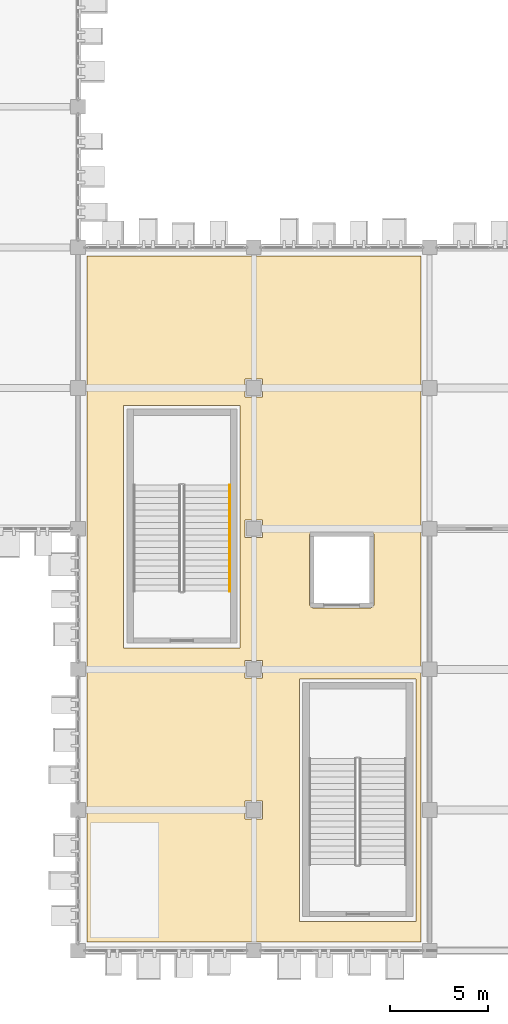
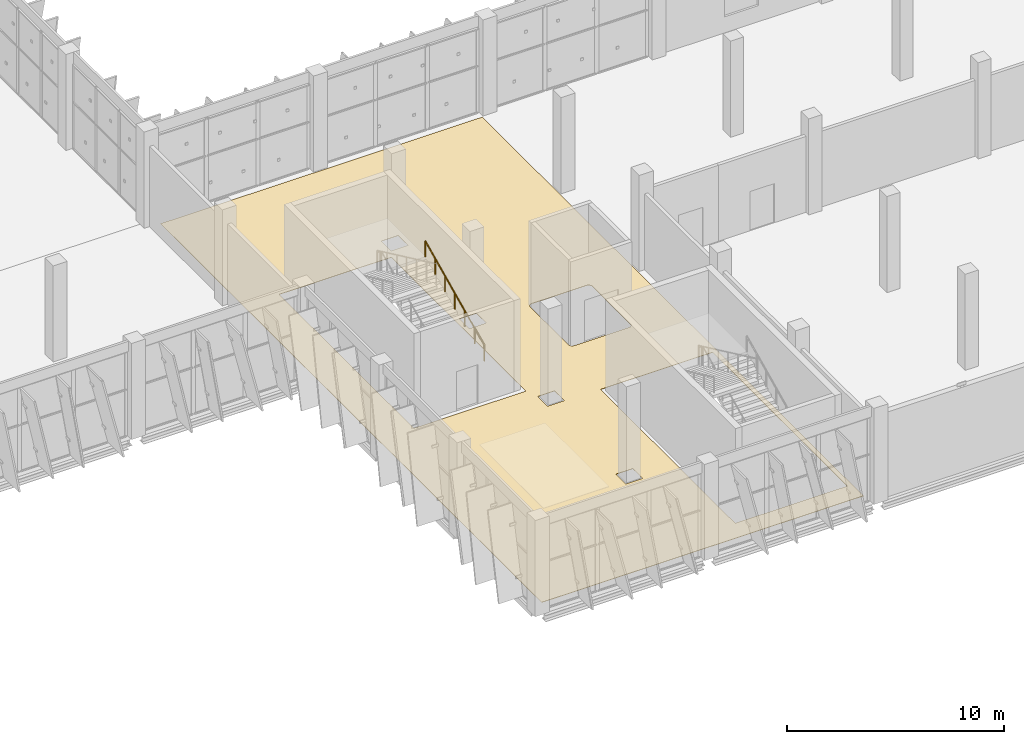
# One storey, part 166 of 189: 1 covering, 1 railing.
"""IFC4 building model written with IfcOpenShell, lengths in metres."""

import ifcopenshell
import ifcopenshell.guid

model = None  # the IFC model being written
_history = None  # IfcOwnerHistory: only IFC2X3 demands one
_inside = {}  # id of a spatial element -> (the spatial element, [elements in it])
_under = {}  # id of a project, library or spatial element -> (it, [spatial elements below it])
_declared = {}  # id of a project -> (the project, [libraries it declares])
_typed = {}  # id of a type object -> (the type object, [elements of that type])
_made_of = {}  # id of a material, layer set ... -> (it, [elements and type objects made of it])


def new_model(schema):
    """Start an empty IFC model of exactly this schema.

    Asked for "IFC4X3", IfcOpenShell would pick the latest addendum, in which some entities
    have other attributes; the version numbers below select the first issue.
    IFC2X3 requires an IfcOwnerHistory on every rooted entity: one is made here for all.
    """
    global model, _history
    if schema == "IFC4X3":
        model = ifcopenshell.file(schema_version=(4, 3, 0, 0))
    else:
        model = ifcopenshell.file(schema=schema)
    _inside.clear()
    _under.clear()
    _declared.clear()
    _typed.clear()
    _made_of.clear()
    _history = None
    if model.schema == "IFC2X3":
        org = make("IfcOrganization", Name="unknown")
        user = make(
            "IfcPersonAndOrganization",
            ThePerson=make("IfcPerson", FamilyName="unknown"),
            TheOrganization=org,
        )
        app = make(
            "IfcApplication",
            ApplicationDeveloper=org,
            Version="unknown",
            ApplicationFullName="unknown",
            ApplicationIdentifier="unknown",
        )
        _history = make(
            "IfcOwnerHistory",
            OwningUser=user,
            OwningApplication=app,
            ChangeAction="ADDED",
            CreationDate=0,
        )
    return model


def make(cls, **values):
    """One entity of the class cls with the attributes given. An attribute that is None is left unset."""
    return model.create_entity(
        cls, **{name: value for name, value in values.items() if value is not None}
    )


def rooted(cls, **values):
    """An entity with a GlobalId (a new one), such as an element, a storey or a relation."""
    return make(cls, GlobalId=ifcopenshell.guid.new(), OwnerHistory=_history, **values)


def si_unit(unit_type, name, prefix=None):
    """IfcSIUnit, for example si_unit("LENGTHUNIT", "METRE", prefix="MILLI")."""
    return make("IfcSIUnit", UnitType=unit_type, Prefix=prefix, Name=name)


def assignment(units):
    """IfcUnitAssignment: the units of a project."""
    return None if units is None else make("IfcUnitAssignment", Units=units)


def point(xyz):
    """IfcCartesianPoint."""
    return None if xyz is None else make("IfcCartesianPoint", Coordinates=xyz)


def direction(xyz):
    """IfcDirection."""
    return None if xyz is None else make("IfcDirection", DirectionRatios=xyz)


def frame(location, z_axis=None, x_axis=None):
    """IfcAxis2Placement3D, a coordinate frame: its origin and axes. An axis left out is left unset."""
    return make(
        "IfcAxis2Placement3D",
        Location=point(location),
        Axis=direction(z_axis),
        RefDirection=direction(x_axis),
    )


def frame_2d(location, x_axis=None):
    """IfcAxis2Placement2D, a coordinate frame in the plane: its origin and x axis."""
    return make(
        "IfcAxis2Placement2D", Location=point(location), RefDirection=direction(x_axis)
    )


def origin():
    """The frame at (0, 0, 0) with its axes left unset."""
    return frame((0.0, 0.0, 0.0))


def origin_2d():
    """The frame at (0, 0) in the plane with its x axis left unset."""
    return frame_2d((0.0, 0.0))


def place(relative_to, where):
    """IfcLocalPlacement: puts the frame where relative to a parent placement (None: the world)."""
    return make(
        "IfcLocalPlacement", PlacementRelTo=relative_to, RelativePlacement=where
    )


def context(
    kind, dimensions, precision=None, world=None, true_north=None, identifier=None
):
    """IfcGeometricRepresentationContext, for example the 3D "Model" context."""
    return make(
        "IfcGeometricRepresentationContext",
        ContextIdentifier=identifier,
        ContextType=kind,
        CoordinateSpaceDimension=dimensions,
        Precision=precision,
        WorldCoordinateSystem=world,
        TrueNorth=true_north,
    )


def subcontext(parent, identifier, kind, view, scale=None):
    """IfcGeometricRepresentationSubContext, for example "Body" below "Model"."""
    return make(
        "IfcGeometricRepresentationSubContext",
        ContextIdentifier=identifier,
        ContextType=kind,
        ParentContext=parent,
        TargetScale=scale,
        TargetView=view,
    )


def project(units=None, contexts=None):
    """IfcProject with its units and contexts."""
    return rooted(
        "IfcProject",
        Name="project",
        RepresentationContexts=contexts,
        UnitsInContext=assignment(units),
    )


def spatial(cls, under=None, at=None, **own):
    """A site, building, storey or space (cls), placed at a placement, below another one or the project."""
    s = rooted(cls, ObjectPlacement=at, **own)
    if under is not None:
        _under.setdefault(under.id(), (under, []))[1].append(s)
    return s


def polyline(points):
    """IfcPolyline through the points."""
    return make("IfcPolyline", Points=[point(p) for p in points])


def profile(cls, at=None, kind="AREA", **sizes):
    """A parametric profile (cls). Its sizes go by their IFC names, for example OverallWidth=200.0."""
    return make(cls, ProfileType=kind, Position=at, **sizes)


def circle(**sizes):
    """IfcCircleProfileDef."""
    return profile("IfcCircleProfileDef", **sizes)


def outline(outer, holes=None, kind="AREA"):
    """IfcArbitraryClosedProfileDef: a profile drawn as a closed curve; with holes, ...WithVoids."""
    if holes is None:
        return make("IfcArbitraryClosedProfileDef", ProfileType=kind, OuterCurve=outer)
    return make(
        "IfcArbitraryProfileDefWithVoids",
        ProfileType=kind,
        OuterCurve=outer,
        InnerCurves=holes,
    )


def extrude(swept, where, along, depth):
    """IfcExtrudedAreaSolid: the profile swept, set in the frame where, extruded along a direction by depth."""
    return make(
        "IfcExtrudedAreaSolid",
        SweptArea=swept,
        Position=where,
        ExtrudedDirection=direction(along),
        Depth=depth,
    )


def shape(context_of_items, identifier, shape_type, items):
    """IfcShapeRepresentation: the items that make up one representation, for example the "Body"."""
    return make(
        "IfcShapeRepresentation",
        ContextOfItems=context_of_items,
        RepresentationIdentifier=identifier,
        RepresentationType=shape_type,
        Items=items,
    )


def material(Name=None, Category=None):
    """IfcMaterial."""
    return make("IfcMaterial", Name=Name, Category=Category)


def layer(
    of_material, thickness, ventilated=None, Name=None, Category=None, Priority=None
):
    """IfcMaterialLayer: one layer of a wall or slab, of a material (None: an air gap)."""
    return make(
        "IfcMaterialLayer",
        Material=of_material,
        LayerThickness=thickness,
        IsVentilated=ventilated,
        Name=Name,
        Category=Category,
        Priority=Priority,
    )


def layer_set(layers, Name=None):
    """IfcMaterialLayerSet."""
    return make("IfcMaterialLayerSet", MaterialLayers=layers, LayerSetName=Name)


def made_of(thing, what):
    """Note that an element or type object is made of a material, layer set ...; save() writes the relation."""
    if what is not None:
        _made_of.setdefault(what.id(), (what, []))[1].append(thing)
    return thing


def type_object(cls, material=None, **own):
    """A type object (cls), such as IfcWallType, which elements share."""
    return made_of(rooted(cls, **own), material)


def element(
    cls,
    number,
    at=None,
    inside=None,
    cuts=None,
    type_object=None,
    material=None,
    context=None,
    identifier="Body",
    shape_type=None,
    held_by="IfcProductDefinitionShape",
    body=None,
    shapes=None,
    **own,
):
    """One element of the class cls, such as IfcWall. Its Tag is "e" and its number.

    at: its placement. inside: the storey or other place that contains it. cuts: it is an
    opening in that element (IfcRelVoidsElement). A single representation is given by context,
    identifier, shape_type and body (its items); several are given by shapes. held_by: the class
    of the entity that holds the representations. save() writes the other relations.
    """
    e = rooted(cls, Tag="e%d" % number, ObjectPlacement=at, **own)
    if body is not None:
        shapes = [shape(context, identifier, shape_type, body)]
    if shapes is not None:
        e.Representation = make(held_by, Representations=shapes)
    if inside is not None:
        _inside.setdefault(inside.id(), (inside, []))[1].append(e)
    if cuts is not None:
        rooted(
            "IfcRelVoidsElement", RelatingBuildingElement=cuts, RelatedOpeningElement=e
        )
    if type_object is not None:
        _typed.setdefault(type_object.id(), (type_object, []))[1].append(e)
    return made_of(e, material)


def aggregate(whole, parts):
    """IfcRelAggregates: a whole, such as a stair, and the parts it consists of."""
    return rooted("IfcRelAggregates", RelatingObject=whole, RelatedObjects=parts)


def save(model, path):
    """Write the relations noted so far, then the file.

    IfcRelAggregates (storeys below a building ...), IfcRelContainedInSpatialStructure (elements
    in a storey), IfcRelDefinesByType, IfcRelAssociatesMaterial and IfcRelDeclares: one each for
    every whole, place, type object, material and project.
    """
    for whole, parts in _under.values():
        aggregate(whole, parts)
    for where, things in _inside.values():
        rooted(
            "IfcRelContainedInSpatialStructure",
            RelatedElements=things,
            RelatingStructure=where,
        )
    for kind, things in _typed.values():
        rooted("IfcRelDefinesByType", RelatedObjects=things, RelatingType=kind)
    for what, things in _made_of.values():
        rooted("IfcRelAssociatesMaterial", RelatedObjects=things, RelatingMaterial=what)
    for by, libraries in _declared.values():
        rooted("IfcRelDeclares", RelatingContext=by, RelatedDefinitions=libraries)
    model.write(path)


model = new_model("IFC4")

# Units and contexts
model_context = context("Model", 3, precision=1e-05, world=origin(), true_north=direction((0.0, 1.0)))
body_context = subcontext(model_context, "Body", "Model", "MODEL_VIEW")
ifc_project = project(units=[si_unit("LENGTHUNIT", "METRE"), si_unit("AREAUNIT", "SQUARE_METRE"), si_unit("VOLUMEUNIT", "CUBIC_METRE"), si_unit("PLANEANGLEUNIT", "RADIAN"), si_unit("MASSUNIT", "GRAM", prefix="KILO")], contexts=[model_context])

# Site, building, storey
site_placement = place(None, origin())
site = spatial("IfcSite", under=ifc_project, at=site_placement, CompositionType="ELEMENT")
building_placement = place(site_placement, origin())
building = spatial("IfcBuilding", under=site, at=building_placement, Name="Celestram Park Convention Centre", CompositionType="ELEMENT")
storey_placement = place(building_placement, frame((0.0, 0.0, 5.39990234375)))
storey = spatial("IfcBuildingStorey", under=building, at=storey_placement, Name="L01", CompositionType="ELEMENT", Elevation=5.39990234375)

# Covering
ifc_material_1 = material(Name="Polished Lakefront Aggregate Terrazzo Flooring", Category="concrete")
ifc_layer_1 = layer(ifc_material_1, 0.02001953125)
ifc_layer_set_1 = layer_set([ifc_layer_1], Name="Polished Lakefront Aggregate Terrazzo Flooring")
covering_type = type_object("IfcCoveringType", Name="ARC-COV-FLR020", PredefinedType="FLOORING", material=ifc_layer_set_1)
covering_placement = place(storey_placement, origin())
element("IfcCovering", 1, at=covering_placement, inside=storey, type_object=covering_type, Name="Goods Lift LG-02 Service Lobby L01 terrazzo flooring", PredefinedType="FLOORING", context=body_context, shape_type="SweptSolid", body=[
    extrude(outline(polyline([(152.547119140625, 35.550048828125), (152.547119140625, 35.547119140625), (153.452880859375, 35.547119140625), (153.452880859375, 35.550048828125), (161.547119140625, 35.550048828125), (161.547119140625, 35.547119140625), (161.550048828125, 35.547119140625), (161.550048828125, 29.2529296875), (161.547119140625, 29.2529296875), (161.547119140625, 28.346923828125), (161.550048828125, 28.346923828125), (161.550048828125, 22.052978515625), (161.547119140625, 22.052978515625), (161.547119140625, 21.14697265625), (161.550048828125, 21.14697265625), (161.550048828125, 14.85302734375), (161.547119140625, 14.85302734375), (161.547119140625, 13.947021484375), (161.550048828125, 13.947021484375), (161.550048828125, 7.653076171875), (161.547119140625, 7.653076171875), (161.547119140625, 6.7470703125), (161.550048828125, 6.7470703125), (161.550048828125, 0.452880859375), (161.547119140625, 0.452880859375), (161.547119140625, 0.449951171875), (153.452880859375, 0.449951171875), (153.452880859375, 0.452880859375), (152.547119140625, 0.452880859375), (152.547119140625, 0.449951171875), (144.452880859375, 0.449951171875), (144.452880859375, 0.452880859375), (144.449951171875, 0.452880859375), (144.449951171875, 6.7470703125), (144.452880859375, 6.7470703125), (144.452880859375, 7.653076171875), (144.449951171875, 7.653076171875), (144.449951171875, 13.947021484375), (144.452880859375, 13.947021484375), (144.452880859375, 14.85302734375), (144.449951171875, 14.85302734375), (144.449951171875, 21.14697265625), (144.452880859375, 21.14697265625), (144.452880859375, 22.052978515625), (144.449951171875, 22.052978515625), (144.449951171875, 28.346923828125), (144.452880859375, 28.346923828125), (144.452880859375, 29.2529296875), (144.449951171875, 29.2529296875), (144.449951171875, 35.547119140625), (144.452880859375, 35.547119140625), (144.452880859375, 35.550048828125), (152.547119140625, 35.550048828125)]), holes=[polyline([(155.991943359375, 21.44140625), (155.973388671875, 21.434814453125), (155.955810546875, 21.426513671875), (155.93896484375, 21.416259765625), (155.923095703125, 21.404541015625), (155.90869140625, 21.391357421875), (155.8955078125, 21.376953125), (155.8837890625, 21.361083984375), (155.87353515625, 21.34423828125), (155.865234375, 21.326416015625), (155.858642578125, 21.30810546875), (155.853759765625, 21.2890625), (155.85107421875, 21.26953125), (155.85009765625, 21.25), (155.85009765625, 21.25), (155.85009765625, 17.75), (155.85009765625, 17.75), (155.85107421875, 17.73046875), (155.853759765625, 17.7109375), (155.858642578125, 17.69189453125), (155.865234375, 17.673583984375), (155.87353515625, 17.65576171875), (155.8837890625, 17.638916015625), (155.8955078125, 17.623046875), (155.90869140625, 17.608642578125), (155.923095703125, 17.595458984375), (155.93896484375, 17.583740234375), (155.955810546875, 17.573486328125), (155.973388671875, 17.565185546875), (155.991943359375, 17.55859375), (156.010986328125, 17.5537109375), (156.030517578125, 17.551025390625), (156.050048828125, 17.550048828125), (158.949951171875, 17.550048828125), (158.969482421875, 17.551025390625), (158.989013671875, 17.5537109375), (159.008056640625, 17.55859375), (159.026611328125, 17.565185546875), (159.044189453125, 17.573486328125), (159.06103515625, 17.583740234375), (159.076904296875, 17.595458984375), (159.09130859375, 17.608642578125), (159.1044921875, 17.623046875), (159.1162109375, 17.638916015625), (159.12646484375, 17.65576171875), (159.134765625, 17.673583984375), (159.141357421875, 17.69189453125), (159.146240234375, 17.7109375), (159.14892578125, 17.73046875), (159.14990234375, 17.75), (159.14990234375, 17.75), (159.14990234375, 21.25), (159.14990234375, 21.25), (159.14892578125, 21.26953125), (159.146240234375, 21.2890625), (159.141357421875, 21.30810546875), (159.134765625, 21.326416015625), (159.12646484375, 21.34423828125), (159.1162109375, 21.361083984375), (159.1044921875, 21.376953125), (159.09130859375, 21.391357421875), (159.076904296875, 21.404541015625), (159.06103515625, 21.416259765625), (159.044189453125, 21.426513671875), (159.026611328125, 21.434814453125), (159.008056640625, 21.44140625), (158.989013671875, 21.4462890625), (158.969482421875, 21.448974609375), (158.949951171875, 21.449951171875), (156.050048828125, 21.449951171875), (156.030517578125, 21.448974609375), (156.010986328125, 21.4462890625), (155.991943359375, 21.44140625)]), polyline([(161.300048828125, 13.89990234375), (155.340087890625, 13.89990234375), (155.340087890625, 1.5), (161.300048828125, 1.5), (161.300048828125, 13.89990234375)]), polyline([(152.300048828125, 27.89990234375), (146.340087890625, 27.89990234375), (146.340087890625, 15.5), (152.300048828125, 15.5), (152.300048828125, 27.89990234375)]), polyline([(153.452880859375, 7.653076171875), (152.547119140625, 7.653076171875), (152.547119140625, 6.7470703125), (153.452880859375, 6.7470703125), (153.452880859375, 7.653076171875)]), polyline([(153.452880859375, 14.85302734375), (152.547119140625, 14.85302734375), (152.547119140625, 13.947021484375), (153.452880859375, 13.947021484375), (153.452880859375, 14.85302734375)]), polyline([(153.452880859375, 21.14697265625), (153.452880859375, 22.052978515625), (152.547119140625, 22.052978515625), (152.547119140625, 21.14697265625), (153.452880859375, 21.14697265625)]), polyline([(153.452880859375, 29.2529296875), (152.547119140625, 29.2529296875), (152.547119140625, 28.346923828125), (153.452880859375, 28.346923828125), (153.452880859375, 29.2529296875)])]), origin(), (0.0, 0.0, 1.0), 0.02001953125),
])

# Railing
ifc_material_2 = material(Name="Brushed Stainless Steel AISI 304", Category="steel")
ifc_layer_2 = layer(ifc_material_2, 0.048095703125)
ifc_layer_set_2 = layer_set([ifc_layer_2], Name="Brushed Stainless Steel AISI 304")
railing_type = type_object("IfcRailingType", Name="ARC-RL-HND915", PredefinedType="HANDRAIL", material=ifc_layer_set_2)
railing_placement = place(storey_placement, frame((151.763916015625, 18.39990234375, 0.150146484375)))
element("IfcRailing", 2, at=railing_placement, inside=storey, type_object=railing_type, Name="L01 ST-06 stair handrail 1", PredefinedType="HANDRAIL", context=body_context, shape_type="SweptSolid", body=[
    extrude(circle(Radius=0.02392578125, at=origin_2d()), frame((0.0, 0.0, 0.8759765625), z_axis=(0.0, 0.905461375974, 0.424428670827), x_axis=(-1.0, 0.0, 0.0)), (0.0, 0.0, 1.0), 6.00830078125),
    extrude(circle(Radius=0.02099609375, at=origin_2d()), origin(), (0.0, 0.0, 1.0), 0.851806640625),
    extrude(circle(Radius=0.02099609375, at=origin_2d()), frame((0.0, 0.90673828125, 0.425048828125)), (0.0, 0.0, 1.0), 0.851806640625),
    extrude(circle(Radius=0.02099609375, at=origin_2d()), frame((0.0, 1.8134765625, 0.85009765625)), (0.0, 0.0, 1.0), 0.851806640625),
    extrude(circle(Radius=0.02099609375, at=origin_2d()), frame((0.0, 2.72021484375, 1.27490234375)), (0.0, 0.0, 1.0), 0.851806640625),
    extrude(circle(Radius=0.02099609375, at=origin_2d()), frame((0.0, 3.626708984375, 1.699951171875)), (0.0, 0.0, 1.0), 0.851806640625),
    extrude(circle(Radius=0.02099609375, at=origin_2d()), frame((0.0, 4.533447265625, 2.125)), (0.0, 0.0, 1.0), 0.851806640625),
    extrude(circle(Radius=0.02099609375, at=origin_2d()), frame((0.0, 5.440185546875, 2.550048828125)), (0.0, 0.0, 1.0), 0.851806640625),
])

save(model, "model.ifc")
